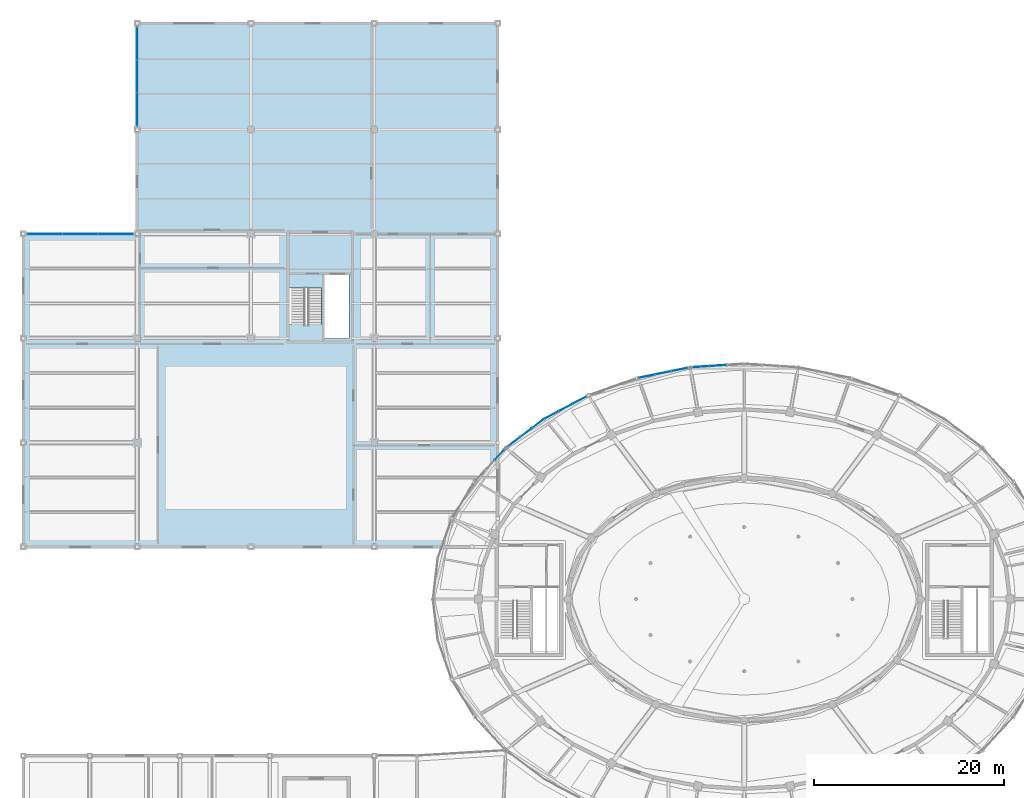
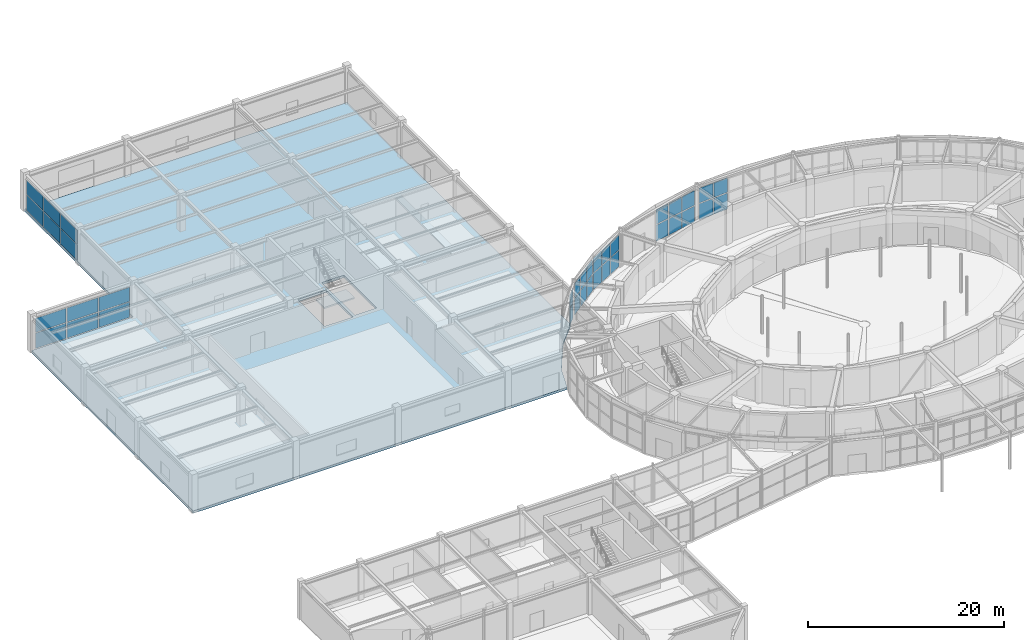
# One storey, part 81 of 108: 36 plates, 2 slabs, 8 elements without a shape of their own.
"""IFC4 building model written with IfcOpenShell, lengths in metres."""

from ifc_helpers import new_model, si_unit, direction, frame, origin, origin_2d, place, context, subcontext, project, spatial, polyline, rectangle, outline, extrude, material, layer, layer_set, type_object, element, aggregate, save


model = new_model("IFC4")

# Units and contexts
model_context = context("Model", 3, precision=1e-05, world=origin(), true_north=direction((0.0, 1.0)))
body_context = subcontext(model_context, "Body", "Model", "MODEL_VIEW")
ifc_project = project(units=[si_unit("LENGTHUNIT", "METRE"), si_unit("AREAUNIT", "SQUARE_METRE"), si_unit("VOLUMEUNIT", "CUBIC_METRE"), si_unit("PLANEANGLEUNIT", "RADIAN"), si_unit("MASSUNIT", "GRAM", prefix="KILO")], contexts=[model_context])

# Site, building, storey
site_placement = place(None, origin())
site = spatial("IfcSite", under=ifc_project, at=site_placement, CompositionType="ELEMENT")
building_placement = place(site_placement, origin())
building = spatial("IfcBuilding", under=site, at=building_placement, Name="Tarnveldt Headland Concert Hall", CompositionType="ELEMENT")
storey_placement = place(building_placement, origin())
storey = spatial("IfcBuildingStorey", under=building, at=storey_placement, Name="L00", CompositionType="ELEMENT", Elevation=0.0)

# Curtain wall, plates
ifc_material_1 = material(Name="Marine-anodised aluminium EN AW-6063-T6", Category="aluminium")
curtain_wall_type_1 = type_object("IfcCurtainWallType", Name="CW-F1", PredefinedType="NOTDEFINED", material=ifc_material_1)
curtain_wall_1_placement = place(storey_placement, origin())
curtain_wall_1 = element("IfcCurtainWall", 1, at=curtain_wall_1_placement, inside=storey, type_object=curtain_wall_type_1, Name="Curtain wall CW-L00-008", PredefinedType="NOTDEFINED")
ifc_material_2 = material(Name="Acoustic laminated low-iron double glazing", Category="glass")
ifc_layer_1 = layer(ifc_material_2, 0.031982421875, Name="Acoustic laminated low-iron double glazing", Category="glass")
ifc_layer_set_1 = layer_set([ifc_layer_1], Name="Acoustic laminated low-iron double glazing")
plate_type_1 = type_object("IfcPlateType", Name="PN-F1", PredefinedType="CURTAIN_PANEL", material=ifc_layer_set_1)
plate_1_placement = place(storey_placement, frame((80.75341796875, 79.118408203125, 0.097412109375), z_axis=(0.0, 0.0, 1.0), x_axis=(-0.997818784564, -0.066012674318, 0.0)))
plate_1 = element("IfcPlate", 2, at=plate_1_placement, type_object=plate_type_1, Name="Glazed panel CW-L00-008-2-1", PredefinedType="CURTAIN_PANEL", context=body_context, shape_type="SweptSolid", body=[
    extrude(rectangle(XDim=1.689208984375, YDim=0.031982421875, at=origin_2d()), origin(), (0.0, 0.0, 1.0), 2.0078125),
])
plate_2_placement = place(storey_placement, frame((80.75341796875, 79.118408203125, 2.2001953125), z_axis=(0.0, 0.0, 1.0), x_axis=(-0.997818784564, -0.066012674318, 0.0)))
plate_2 = element("IfcPlate", 3, at=plate_2_placement, type_object=plate_type_1, Name="Glazed panel CW-L00-008-2-2", PredefinedType="CURTAIN_PANEL", context=body_context, shape_type="SweptSolid", body=[
    extrude(rectangle(XDim=1.689208984375, YDim=0.031982421875, at=origin_2d()), origin(), (0.0, 0.0, 1.0), 1.84228515625),
])
plate_3_placement = place(storey_placement, frame((78.94921875, 78.9990234375, 0.097412109375), z_axis=(0.0, 0.0, 1.0), x_axis=(-0.997818784564, -0.066012674318, 0.0)))
plate_3 = element("IfcPlate", 4, at=plate_3_placement, type_object=plate_type_1, Name="Glazed panel CW-L00-008-3-1", PredefinedType="CURTAIN_PANEL", context=body_context, shape_type="SweptSolid", body=[
    extrude(rectangle(XDim=1.689208984375, YDim=0.031982421875, at=origin_2d()), origin(), (0.0, 0.0, 1.0), 2.0078125),
])
plate_4_placement = place(storey_placement, frame((78.94921875, 78.9990234375, 2.2001953125), z_axis=(0.0, 0.0, 1.0), x_axis=(-0.997818784564, -0.066012674318, 0.0)))
plate_4 = element("IfcPlate", 5, at=plate_4_placement, type_object=plate_type_1, Name="Glazed panel CW-L00-008-3-2", PredefinedType="CURTAIN_PANEL", context=body_context, shape_type="SweptSolid", body=[
    extrude(rectangle(XDim=1.689208984375, YDim=0.031982421875, at=origin_2d()), origin(), (0.0, 0.0, 1.0), 1.84228515625),
])
aggregate(curtain_wall_1, [plate_1, plate_2, plate_3, plate_4])

curtain_wall_2_placement = place(storey_placement, origin())
curtain_wall_2 = element("IfcCurtainWall", 6, at=curtain_wall_2_placement, inside=storey, type_object=curtain_wall_type_1, Name="Curtain wall CW-L00-009", PredefinedType="NOTDEFINED")
plate_5_placement = place(storey_placement, frame((76.691650390625, 78.69775390625, 0.097412109375), z_axis=(0.0, 0.0, 1.0), x_axis=(-0.98008791737, -0.198564030542, 0.0)))
plate_5 = element("IfcPlate", 7, at=plate_5_placement, type_object=plate_type_1, Name="Glazed panel CW-L00-009-1-1", PredefinedType="CURTAIN_PANEL", context=body_context, shape_type="SweptSolid", body=[
    extrude(rectangle(XDim=1.664794921875, YDim=0.031982421875, at=origin_2d()), origin(), (0.0, 0.0, 1.0), 2.0078125),
])
plate_6_placement = place(storey_placement, frame((76.691650390625, 78.69775390625, 2.2001953125), z_axis=(0.0, 0.0, 1.0), x_axis=(-0.98008791737, -0.198564030542, 0.0)))
plate_6 = element("IfcPlate", 8, at=plate_6_placement, type_object=plate_type_1, Name="Glazed panel CW-L00-009-1-2", PredefinedType="CURTAIN_PANEL", context=body_context, shape_type="SweptSolid", body=[
    extrude(rectangle(XDim=1.664794921875, YDim=0.031982421875, at=origin_2d()), origin(), (0.0, 0.0, 1.0), 1.84228515625),
])
plate_7_placement = place(storey_placement, frame((74.943359375, 78.343505859375, 0.097412109375), z_axis=(0.0, 0.0, 1.0), x_axis=(-0.98008791737, -0.198564030542, 0.0)))
plate_7 = element("IfcPlate", 9, at=plate_7_placement, type_object=plate_type_1, Name="Glazed panel CW-L00-009-2-1", PredefinedType="CURTAIN_PANEL", context=body_context, shape_type="SweptSolid", body=[
    extrude(rectangle(XDim=1.664794921875, YDim=0.031982421875, at=origin_2d()), origin(), (0.0, 0.0, 1.0), 2.0078125),
])
plate_8_placement = place(storey_placement, frame((74.943359375, 78.343505859375, 2.2001953125), z_axis=(0.0, 0.0, 1.0), x_axis=(-0.98008791737, -0.198564030542, 0.0)))
plate_8 = element("IfcPlate", 10, at=plate_8_placement, type_object=plate_type_1, Name="Glazed panel CW-L00-009-2-2", PredefinedType="CURTAIN_PANEL", context=body_context, shape_type="SweptSolid", body=[
    extrude(rectangle(XDim=1.664794921875, YDim=0.031982421875, at=origin_2d()), origin(), (0.0, 0.0, 1.0), 1.84228515625),
])
plate_9_placement = place(storey_placement, frame((73.195068359375, 77.989501953125, 0.097412109375), z_axis=(0.0, 0.0, 1.0), x_axis=(-0.98008791737, -0.198564030542, 0.0)))
plate_9 = element("IfcPlate", 11, at=plate_9_placement, type_object=plate_type_1, Name="Glazed panel CW-L00-009-3-1", PredefinedType="CURTAIN_PANEL", context=body_context, shape_type="SweptSolid", body=[
    extrude(rectangle(XDim=1.664794921875, YDim=0.031982421875, at=origin_2d()), origin(), (0.0, 0.0, 1.0), 2.0078125),
])
plate_10_placement = place(storey_placement, frame((73.195068359375, 77.989501953125, 2.2001953125), z_axis=(0.0, 0.0, 1.0), x_axis=(-0.98008791737, -0.198564030542, 0.0)))
plate_10 = element("IfcPlate", 12, at=plate_10_placement, type_object=plate_type_1, Name="Glazed panel CW-L00-009-3-2", PredefinedType="CURTAIN_PANEL", context=body_context, shape_type="SweptSolid", body=[
    extrude(rectangle(XDim=1.664794921875, YDim=0.031982421875, at=origin_2d()), origin(), (0.0, 0.0, 1.0), 1.84228515625),
])
aggregate(curtain_wall_2, [plate_5, plate_6, plate_7, plate_8, plate_9, plate_10])

curtain_wall_3_placement = place(storey_placement, origin())
curtain_wall_3 = element("IfcCurtainWall", 13, at=curtain_wall_3_placement, inside=storey, type_object=curtain_wall_type_1, Name="Curtain wall CW-L00-010", PredefinedType="NOTDEFINED")
plate_11_placement = place(storey_placement, frame((66.146240234375, 75.472412109375, 0.097412109375), z_axis=(0.0, 0.0, 1.0), x_axis=(-0.883781963382, -0.467898964735, 0.0)))
plate_11 = element("IfcPlate", 14, at=plate_11_placement, type_object=plate_type_1, Name="Glazed panel CW-L00-010-1-1", PredefinedType="CURTAIN_PANEL", context=body_context, shape_type="SweptSolid", body=[
    extrude(rectangle(XDim=1.552978515625, YDim=0.031982421875, at=origin_2d()), origin(), (0.0, 0.0, 1.0), 2.0078125),
])
plate_12_placement = place(storey_placement, frame((66.146240234375, 75.472412109375, 2.2001953125), z_axis=(0.0, 0.0, 1.0), x_axis=(-0.883781963382, -0.467898964735, 0.0)))
plate_12 = element("IfcPlate", 15, at=plate_12_placement, type_object=plate_type_1, Name="Glazed panel CW-L00-010-1-2", PredefinedType="CURTAIN_PANEL", context=body_context, shape_type="SweptSolid", body=[
    extrude(rectangle(XDim=1.552978515625, YDim=0.031982421875, at=origin_2d()), origin(), (0.0, 0.0, 1.0), 1.84228515625),
])
plate_13_placement = place(storey_placement, frame((64.66845703125, 74.690185546875, 0.097412109375), z_axis=(0.0, 0.0, 1.0), x_axis=(-0.883781963382, -0.467898964735, 0.0)))
plate_13 = element("IfcPlate", 16, at=plate_13_placement, type_object=plate_type_1, Name="Glazed panel CW-L00-010-2-1", PredefinedType="CURTAIN_PANEL", context=body_context, shape_type="SweptSolid", body=[
    extrude(rectangle(XDim=1.552978515625, YDim=0.031982421875, at=origin_2d()), origin(), (0.0, 0.0, 1.0), 2.0078125),
])
plate_14_placement = place(storey_placement, frame((64.66845703125, 74.690185546875, 2.2001953125), z_axis=(0.0, 0.0, 1.0), x_axis=(-0.883781963382, -0.467898964735, 0.0)))
plate_14 = element("IfcPlate", 17, at=plate_14_placement, type_object=plate_type_1, Name="Glazed panel CW-L00-010-2-2", PredefinedType="CURTAIN_PANEL", context=body_context, shape_type="SweptSolid", body=[
    extrude(rectangle(XDim=1.552978515625, YDim=0.031982421875, at=origin_2d()), origin(), (0.0, 0.0, 1.0), 1.84228515625),
])
plate_15_placement = place(storey_placement, frame((63.19091796875, 73.90771484375, 0.097412109375), z_axis=(0.0, 0.0, 1.0), x_axis=(-0.883781963382, -0.467898964735, 0.0)))
plate_15 = element("IfcPlate", 18, at=plate_15_placement, type_object=plate_type_1, Name="Glazed panel CW-L00-010-3-1", PredefinedType="CURTAIN_PANEL", context=body_context, shape_type="SweptSolid", body=[
    extrude(rectangle(XDim=1.552978515625, YDim=0.031982421875, at=origin_2d()), origin(), (0.0, 0.0, 1.0), 2.0078125),
])
plate_16_placement = place(storey_placement, frame((63.19091796875, 73.90771484375, 2.2001953125), z_axis=(0.0, 0.0, 1.0), x_axis=(-0.883781963382, -0.467898964735, 0.0)))
plate_16 = element("IfcPlate", 19, at=plate_16_placement, type_object=plate_type_1, Name="Glazed panel CW-L00-010-3-2", PredefinedType="CURTAIN_PANEL", context=body_context, shape_type="SweptSolid", body=[
    extrude(rectangle(XDim=1.552978515625, YDim=0.031982421875, at=origin_2d()), origin(), (0.0, 0.0, 1.0), 1.84228515625),
])
aggregate(curtain_wall_3, [plate_11, plate_12, plate_13, plate_14, plate_15, plate_16])

curtain_wall_4_placement = place(storey_placement, origin())
curtain_wall_4 = element("IfcCurtainWall", 20, at=curtain_wall_4_placement, inside=storey, type_object=curtain_wall_type_1, Name="Curtain wall CW-L00-011", PredefinedType="NOTDEFINED")
plate_17_placement = place(storey_placement, frame((61.74853515625, 72.992919921875, 0.097412109375), z_axis=(0.0, 0.0, 1.0), x_axis=(-0.797657618631, -0.603110539984, 0.0)))
plate_17 = element("IfcPlate", 21, at=plate_17_placement, type_object=plate_type_1, Name="Glazed panel CW-L00-011-1-1", PredefinedType="CURTAIN_PANEL", context=body_context, shape_type="SweptSolid", body=[
    extrude(rectangle(XDim=1.47607421875, YDim=0.031982421875, at=origin_2d()), origin(), (0.0, 0.0, 1.0), 2.0078125),
])
plate_18_placement = place(storey_placement, frame((61.74853515625, 72.992919921875, 2.2001953125), z_axis=(0.0, 0.0, 1.0), x_axis=(-0.797657618631, -0.603110539984, 0.0)))
plate_18 = element("IfcPlate", 22, at=plate_18_placement, type_object=plate_type_1, Name="Glazed panel CW-L00-011-1-2", PredefinedType="CURTAIN_PANEL", context=body_context, shape_type="SweptSolid", body=[
    extrude(rectangle(XDim=1.47607421875, YDim=0.031982421875, at=origin_2d()), origin(), (0.0, 0.0, 1.0), 1.84228515625),
])
plate_19_placement = place(storey_placement, frame((60.476318359375, 72.03076171875, 0.097412109375), z_axis=(0.0, 0.0, 1.0), x_axis=(-0.797657618631, -0.603110539984, 0.0)))
plate_19 = element("IfcPlate", 23, at=plate_19_placement, type_object=plate_type_1, Name="Glazed panel CW-L00-011-2-1", PredefinedType="CURTAIN_PANEL", context=body_context, shape_type="SweptSolid", body=[
    extrude(rectangle(XDim=1.47607421875, YDim=0.031982421875, at=origin_2d()), origin(), (0.0, 0.0, 1.0), 2.0078125),
])
plate_20_placement = place(storey_placement, frame((60.476318359375, 72.03076171875, 2.2001953125), z_axis=(0.0, 0.0, 1.0), x_axis=(-0.797657618631, -0.603110539984, 0.0)))
plate_20 = element("IfcPlate", 24, at=plate_20_placement, type_object=plate_type_1, Name="Glazed panel CW-L00-011-2-2", PredefinedType="CURTAIN_PANEL", context=body_context, shape_type="SweptSolid", body=[
    extrude(rectangle(XDim=1.47607421875, YDim=0.031982421875, at=origin_2d()), origin(), (0.0, 0.0, 1.0), 1.84228515625),
])
plate_21_placement = place(storey_placement, frame((59.203857421875, 71.06884765625, 0.097412109375), z_axis=(0.0, 0.0, 1.0), x_axis=(-0.797657618631, -0.603110539984, 0.0)))
plate_21 = element("IfcPlate", 25, at=plate_21_placement, type_object=plate_type_1, Name="Glazed panel CW-L00-011-3-1", PredefinedType="CURTAIN_PANEL", context=body_context, shape_type="SweptSolid", body=[
    extrude(rectangle(XDim=1.47607421875, YDim=0.031982421875, at=origin_2d()), origin(), (0.0, 0.0, 1.0), 2.0078125),
])
plate_22_placement = place(storey_placement, frame((59.203857421875, 71.06884765625, 2.2001953125), z_axis=(0.0, 0.0, 1.0), x_axis=(-0.797657618631, -0.603110539984, 0.0)))
plate_22 = element("IfcPlate", 26, at=plate_22_placement, type_object=plate_type_1, Name="Glazed panel CW-L00-011-3-2", PredefinedType="CURTAIN_PANEL", context=body_context, shape_type="SweptSolid", body=[
    extrude(rectangle(XDim=1.47607421875, YDim=0.031982421875, at=origin_2d()), origin(), (0.0, 0.0, 1.0), 1.84228515625),
])
aggregate(curtain_wall_4, [plate_17, plate_18, plate_19, plate_20, plate_21, plate_22])

curtain_wall_5_placement = place(storey_placement, origin())
curtain_wall_5 = element("IfcCurtainWall", 27, at=curtain_wall_5_placement, inside=storey, type_object=curtain_wall_type_1, Name="Curtain wall CW-L00-012", PredefinedType="NOTDEFINED")
plate_23_placement = place(storey_placement, frame((57.694091796875, 69.70703125, 0.09765625), z_axis=(0.0, 0.0, 1.0), x_axis=(-0.67945411016, -0.733718005903, 0.0)))
plate_23 = element("IfcPlate", 28, at=plate_23_placement, type_object=plate_type_1, Name="Glazed panel CW-L00-012-1-1", PredefinedType="CURTAIN_PANEL", context=body_context, shape_type="SweptSolid", body=[
    extrude(rectangle(XDim=1.3955078125, YDim=0.031982421875, at=origin_2d()), origin(), (0.0, 0.0, 1.0), 1.9130859375),
])
plate_24_placement = place(storey_placement, frame((57.694091796875, 69.70703125, 2.105712890625), z_axis=(0.0, 0.0, 1.0), x_axis=(-0.67945411016, -0.733718005903, 0.0)))
plate_24 = element("IfcPlate", 29, at=plate_24_placement, type_object=plate_type_1, Name="Glazed panel CW-L00-012-1-2", PredefinedType="CURTAIN_PANEL", context=body_context, shape_type="SweptSolid", body=[
    extrude(rectangle(XDim=1.3955078125, YDim=0.031982421875, at=origin_2d()), origin(), (0.0, 0.0, 1.0), 1.7548828125),
])
aggregate(curtain_wall_5, [plate_23, plate_24])

curtain_wall_type_2 = type_object("IfcCurtainWallType", Name="CW-R1", PredefinedType="NOTDEFINED", material=ifc_material_1)
curtain_wall_6_placement = place(storey_placement, origin())
curtain_wall_6 = element("IfcCurtainWall", 30, at=curtain_wall_6_placement, inside=storey, type_object=curtain_wall_type_2, Name="Curtain wall CW-L00-177", PredefinedType="NOTDEFINED")
ifc_layer_2 = layer(ifc_material_2, 0.031005859375, Name="Acoustic laminated low-iron double glazing", Category="glass")
ifc_layer_set_2 = layer_set([ifc_layer_2], Name="Acoustic laminated low-iron double glazing")
plate_type_2 = type_object("IfcPlateType", Name="PN-R1", PredefinedType="CURTAIN_PANEL", material=ifc_layer_set_2)
plate_25_placement = place(storey_placement, frame((19.5, 113.0732421875, 0.0927734375), z_axis=(0.0, 0.0, 1.0), x_axis=(0.0, -1.0, 0.0)))
plate_25 = element("IfcPlate", 31, at=plate_25_placement, type_object=plate_type_2, Name="Glazed panel CW-L00-177-1-1", PredefinedType="CURTAIN_PANEL", context=body_context, shape_type="SweptSolid", body=[
    extrude(rectangle(XDim=3.3642578125, YDim=0.031005859375, at=origin_2d()), origin(), (0.0, 0.0, 1.0), 1.923095703125),
])
plate_26_placement = place(storey_placement, frame((19.5, 113.0732421875, 2.1005859375), z_axis=(0.0, 0.0, 1.0), x_axis=(0.0, -1.0, 0.0)))
plate_26 = element("IfcPlate", 32, at=plate_26_placement, type_object=plate_type_2, Name="Glazed panel CW-L00-177-1-2", PredefinedType="CURTAIN_PANEL", context=body_context, shape_type="SweptSolid", body=[
    extrude(rectangle(XDim=3.3642578125, YDim=0.031005859375, at=origin_2d()), origin(), (0.0, 0.0, 1.0), 1.764892578125),
])
plate_27_placement = place(storey_placement, frame((19.5, 109.60009765625, 0.0927734375), z_axis=(0.0, 0.0, 1.0), x_axis=(0.0, -1.0, 0.0)))
plate_27 = element("IfcPlate", 33, at=plate_27_placement, type_object=plate_type_2, Name="Glazed panel CW-L00-177-2-1", PredefinedType="CURTAIN_PANEL", context=body_context, shape_type="SweptSolid", body=[
    extrude(rectangle(XDim=3.3642578125, YDim=0.031005859375, at=origin_2d()), origin(), (0.0, 0.0, 1.0), 1.923095703125),
])
plate_28_placement = place(storey_placement, frame((19.5, 109.60009765625, 2.1005859375), z_axis=(0.0, 0.0, 1.0), x_axis=(0.0, -1.0, 0.0)))
plate_28 = element("IfcPlate", 34, at=plate_28_placement, type_object=plate_type_2, Name="Glazed panel CW-L00-177-2-2", PredefinedType="CURTAIN_PANEL", context=body_context, shape_type="SweptSolid", body=[
    extrude(rectangle(XDim=3.3642578125, YDim=0.031005859375, at=origin_2d()), origin(), (0.0, 0.0, 1.0), 1.764892578125),
])
plate_29_placement = place(storey_placement, frame((19.5, 106.126708984375, 0.0927734375), z_axis=(0.0, 0.0, 1.0), x_axis=(0.0, -1.0, 0.0)))
plate_29 = element("IfcPlate", 35, at=plate_29_placement, type_object=plate_type_2, Name="Glazed panel CW-L00-177-3-1", PredefinedType="CURTAIN_PANEL", context=body_context, shape_type="SweptSolid", body=[
    extrude(rectangle(XDim=3.3642578125, YDim=0.031005859375, at=origin_2d()), origin(), (0.0, 0.0, 1.0), 1.923095703125),
])
plate_30_placement = place(storey_placement, frame((19.5, 106.126708984375, 2.1005859375), z_axis=(0.0, 0.0, 1.0), x_axis=(0.0, -1.0, 0.0)))
plate_30 = element("IfcPlate", 36, at=plate_30_placement, type_object=plate_type_2, Name="Glazed panel CW-L00-177-3-2", PredefinedType="CURTAIN_PANEL", context=body_context, shape_type="SweptSolid", body=[
    extrude(rectangle(XDim=3.3642578125, YDim=0.031005859375, at=origin_2d()), origin(), (0.0, 0.0, 1.0), 1.764892578125),
])
aggregate(curtain_wall_6, [plate_25, plate_26, plate_27, plate_28, plate_29, plate_30])

curtain_wall_7_placement = place(storey_placement, origin())
curtain_wall_7 = element("IfcCurtainWall", 37, at=curtain_wall_7_placement, inside=storey, type_object=curtain_wall_type_2, Name="Curtain wall CW-L00-178", PredefinedType="NOTDEFINED")
plate_31_placement = place(storey_placement, frame((17.239990234375, 93.0, 0.0927734375), z_axis=(0.0, 0.0, 1.0), x_axis=(-1.0, 0.0, 0.0)))
plate_31 = element("IfcPlate", 38, at=plate_31_placement, type_object=plate_type_2, Name="Glazed panel CW-L00-178-1-1", PredefinedType="CURTAIN_PANEL", context=body_context, shape_type="SweptSolid", body=[
    extrude(rectangle(XDim=3.631103515625, YDim=0.031005859375, at=origin_2d()), origin(), (0.0, 0.0, 1.0), 1.923095703125),
])
plate_32_placement = place(storey_placement, frame((17.239990234375, 93.0, 2.1005859375), z_axis=(0.0, 0.0, 1.0), x_axis=(-1.0, 0.0, 0.0)))
plate_32 = element("IfcPlate", 39, at=plate_32_placement, type_object=plate_type_2, Name="Glazed panel CW-L00-178-1-2", PredefinedType="CURTAIN_PANEL", context=body_context, shape_type="SweptSolid", body=[
    extrude(rectangle(XDim=3.631103515625, YDim=0.031005859375, at=origin_2d()), origin(), (0.0, 0.0, 1.0), 1.764892578125),
])
plate_33_placement = place(storey_placement, frame((13.5, 93.0, 0.0927734375), z_axis=(0.0, 0.0, 1.0), x_axis=(-1.0, 0.0, 0.0)))
plate_33 = element("IfcPlate", 40, at=plate_33_placement, type_object=plate_type_2, Name="Glazed panel CW-L00-178-2-1", PredefinedType="CURTAIN_PANEL", context=body_context, shape_type="SweptSolid", body=[
    extrude(rectangle(XDim=3.631103515625, YDim=0.031005859375, at=origin_2d()), origin(), (0.0, 0.0, 1.0), 1.923095703125),
])
plate_34_placement = place(storey_placement, frame((13.5, 93.0, 2.1005859375), z_axis=(0.0, 0.0, 1.0), x_axis=(-1.0, 0.0, 0.0)))
plate_34 = element("IfcPlate", 41, at=plate_34_placement, type_object=plate_type_2, Name="Glazed panel CW-L00-178-2-2", PredefinedType="CURTAIN_PANEL", context=body_context, shape_type="SweptSolid", body=[
    extrude(rectangle(XDim=3.631103515625, YDim=0.031005859375, at=origin_2d()), origin(), (0.0, 0.0, 1.0), 1.764892578125),
])
plate_35_placement = place(storey_placement, frame((9.760009765625, 93.0, 0.0927734375), z_axis=(0.0, 0.0, 1.0), x_axis=(-1.0, 0.0, 0.0)))
plate_35 = element("IfcPlate", 42, at=plate_35_placement, type_object=plate_type_2, Name="Glazed panel CW-L00-178-3-1", PredefinedType="CURTAIN_PANEL", context=body_context, shape_type="SweptSolid", body=[
    extrude(rectangle(XDim=3.631103515625, YDim=0.031005859375, at=origin_2d()), origin(), (0.0, 0.0, 1.0), 1.923095703125),
])
plate_36_placement = place(storey_placement, frame((9.760009765625, 93.0, 2.1005859375), z_axis=(0.0, 0.0, 1.0), x_axis=(-1.0, 0.0, 0.0)))
plate_36 = element("IfcPlate", 43, at=plate_36_placement, type_object=plate_type_2, Name="Glazed panel CW-L00-178-3-2", PredefinedType="CURTAIN_PANEL", context=body_context, shape_type="SweptSolid", body=[
    extrude(rectangle(XDim=3.631103515625, YDim=0.031005859375, at=origin_2d()), origin(), (0.0, 0.0, 1.0), 1.764892578125),
])
aggregate(curtain_wall_7, [plate_31, plate_32, plate_33, plate_34, plate_35, plate_36])

# Slab
ifc_material_3 = material(Name="Concrete C40/50", Category="concrete")
ifc_layer_3 = layer(ifc_material_3, 0.300048828125, Name="Concrete C40/50", Category="concrete")
ifc_layer_set_3 = layer_set([ifc_layer_3], Name="Concrete C40/50")
slab_type_1 = type_object("IfcSlabType", Name="SL-FL300", PredefinedType="FLOOR", material=ifc_layer_set_3)
slab_1_placement = place(storey_placement, frame((0.0, 0.0, -0.300048828125)))
element("IfcSlab", 44, at=slab_1_placement, inside=storey, type_object=slab_type_1, Name="Backstage rehearsal wing floor slab L00", PredefinedType="FLOOR", context=body_context, shape_type="SweptSolid", body=[
    extrude(outline(polyline([(19.5, 93.0), (7.5, 93.0), (7.5, 60.0), (51.621337890625, 60.0), (52.677978515625, 62.982177734375), (55.094482421875, 66.89990234375), (57.5, 69.49755859375), (57.5, 115.199951171875), (19.5, 115.199951171875), (19.5, 93.0)]), holes=[polyline([(35.580078125, 87.280029296875), (38.9599609375, 87.280029296875), (38.9599609375, 81.780029296875), (35.580078125, 81.780029296875), (35.580078125, 87.280029296875)]), polyline([(41.840087890625, 88.659912109375), (41.840087890625, 81.9599609375), (39.239990234375, 81.9599609375), (39.239990234375, 88.659912109375), (41.840087890625, 88.659912109375)])]), origin(), (0.0, 0.0, 1.0), 0.300048828125),
])

# Stair, slab
stair_type = type_object("IfcStairType", Name="ST-CORE480", PredefinedType="HALF_TURN_STAIR", material=ifc_material_3)
stair_placement = place(storey_placement, origin())
stair = element("IfcStair", 45, at=stair_placement, inside=storey, type_object=stair_type, Name="Exit stair STR-C6-L00", PredefinedType="HALF_TURN_STAIR")
ifc_layer_4 = layer(ifc_material_3, 0.179931640625, Name="Concrete C40/50", Category="concrete")
ifc_layer_set_4 = layer_set([ifc_layer_4], Name="Concrete C40/50")
slab_type_2 = type_object("IfcSlabType", Name="SL-STLND180", PredefinedType="LANDING", material=ifc_layer_set_4)
slab_2_placement = place(storey_placement, frame((0.0, 0.0, 2.219970703125)))
slab_2 = element("IfcSlab", 46, at=slab_2_placement, type_object=slab_type_2, Name="Stair half-landing STR-C6-L00", PredefinedType="LANDING", context=body_context, shape_type="SweptSolid", body=[
    extrude(outline(polyline([(35.52001953125, 81.719970703125), (39.080078125, 81.719970703125), (39.080078125, 83.43994140625), (35.52001953125, 83.43994140625), (35.52001953125, 81.719970703125)])), origin(), (0.0, 0.0, 1.0), 0.179931640625),
])
aggregate(stair, [slab_2])

save(model, "model.ifc")
